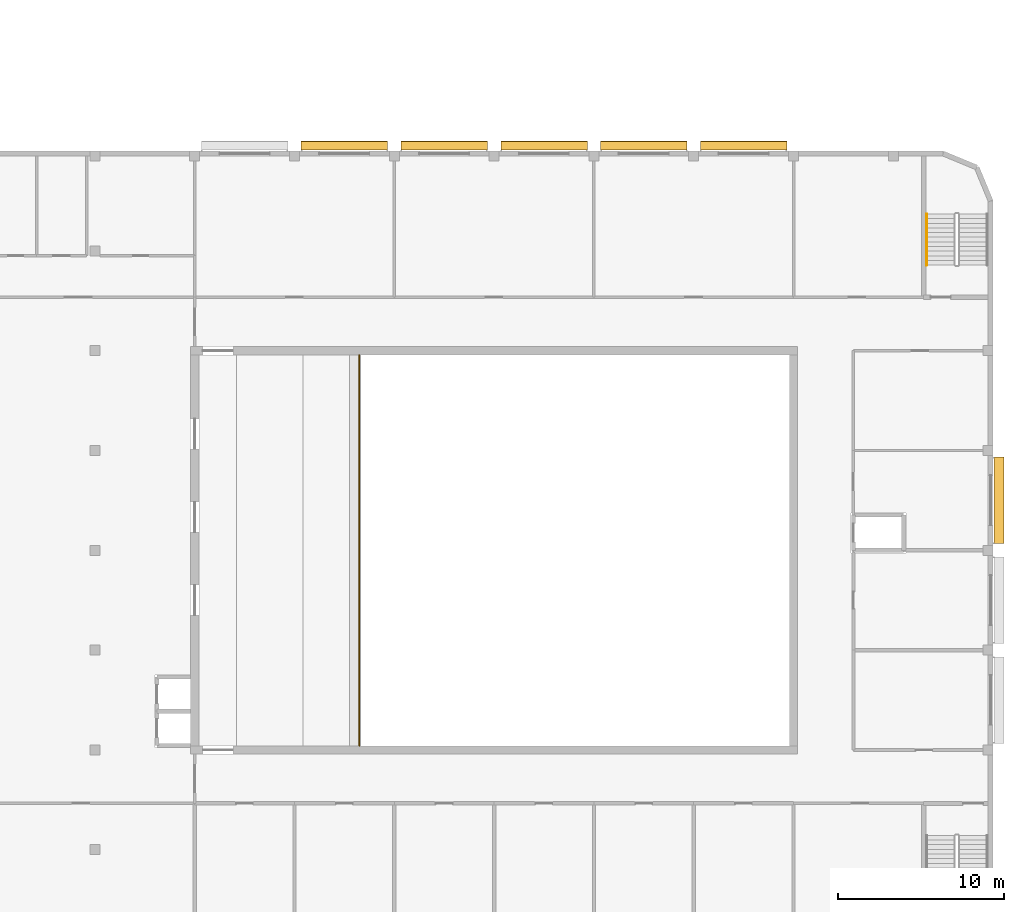
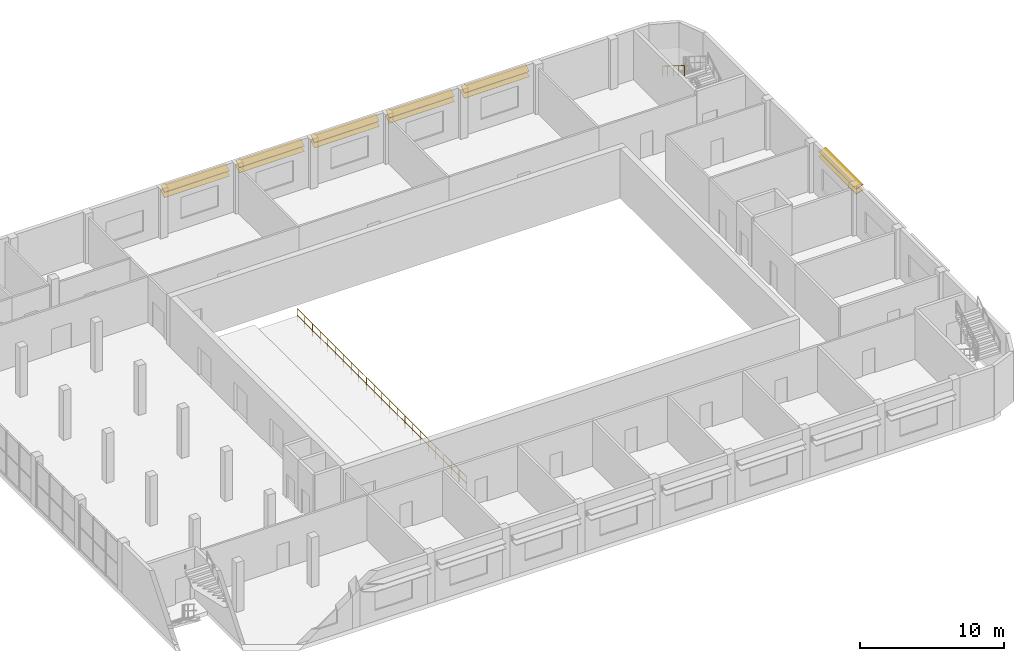
# One storey, part 44 of 45: 12 shading devices, 2 railings.
"""IFC4 building model written with IfcOpenShell, lengths in metres."""

from ifc_helpers import new_model, si_unit, direction, frame, origin, origin_2d, place, context, subcontext, project, spatial, rectangle, circle, extrude, material, material_profile, profile_set, type_object, element, save


model = new_model("IFC4")

# Units and contexts
model_context = context("Model", 3, precision=1e-05, world=origin(), true_north=direction((0.0, 1.0)))
body_context = subcontext(model_context, "Body", "Model", "MODEL_VIEW")
ifc_project = project(units=[si_unit("LENGTHUNIT", "METRE"), si_unit("AREAUNIT", "SQUARE_METRE"), si_unit("VOLUMEUNIT", "CUBIC_METRE"), si_unit("PLANEANGLEUNIT", "RADIAN"), si_unit("MASSUNIT", "GRAM", prefix="KILO")], contexts=[model_context])

# Site, building, storey
site_placement = place(None, origin())
site = spatial("IfcSite", under=ifc_project, at=site_placement, CompositionType="ELEMENT")
building_placement = place(site_placement, origin())
building = spatial("IfcBuilding", under=site, at=building_placement, Name="Nakaniwa Court", CompositionType="ELEMENT")
storey_placement = place(building_placement, frame((0.0, 0.0, 11.39990234375)))
storey = spatial("IfcBuildingStorey", under=building, at=storey_placement, Name="L02", CompositionType="ELEMENT", Elevation=11.39990234375)

# Railing
ifc_material_1 = material(Name="Black powder-coated steel flat bar balustrade S275", Category="steel")
railing_type_1 = type_object("IfcRailingType", Name="Hall guard 1100", PredefinedType="GUARDRAIL", material=ifc_material_1)
railing_1_placement = place(storey_placement, frame((179.89990234375, 68.25, -1.349853515625)))
element("IfcRailing", 1, at=railing_1_placement, inside=storey, type_object=railing_type_1, Name="Balcony tier L02 front guard", PredefinedType="GUARDRAIL", context=body_context, shape_type="SweptSolid", body=[
    extrude(circle(Radius=0.02392578125, at=origin_2d()), frame((0.0, 0.0, 1.076171875), z_axis=(0.0, 1.0, 0.0), x_axis=(-1.0, 0.0, 0.0)), (0.0, 0.0, 1.0), 23.5),
    extrude(circle(Radius=0.02392578125, at=origin_2d()), frame((0.0, 0.0, 0.550048828125), z_axis=(0.0, 1.0, 0.0), x_axis=(-1.0, 0.0, 0.0)), (0.0, 0.0, 1.0), 23.5),
    extrude(circle(Radius=0.02099609375, at=origin_2d()), origin(), (0.0, 0.0, 1.0), 1.052001953125),
    extrude(circle(Radius=0.02099609375, at=origin_2d()), frame((0.0, 1.068115234375, 0.0)), (0.0, 0.0, 1.0), 1.052001953125),
    extrude(circle(Radius=0.02099609375, at=origin_2d()), frame((0.0, 2.136474609375, 0.0)), (0.0, 0.0, 1.0), 1.052001953125),
    extrude(circle(Radius=0.02099609375, at=origin_2d()), frame((0.0, 3.20458984375, 0.0)), (0.0, 0.0, 1.0), 1.052001953125),
    extrude(circle(Radius=0.02099609375, at=origin_2d()), frame((0.0, 4.272705078125, 0.0)), (0.0, 0.0, 1.0), 1.052001953125),
    extrude(circle(Radius=0.02099609375, at=origin_2d()), frame((0.0, 5.3408203125, 0.0)), (0.0, 0.0, 1.0), 1.052001953125),
    extrude(circle(Radius=0.02099609375, at=origin_2d()), frame((0.0, 6.4091796875, 0.0)), (0.0, 0.0, 1.0), 1.052001953125),
    extrude(circle(Radius=0.02099609375, at=origin_2d()), frame((0.0, 7.477294921875, 0.0)), (0.0, 0.0, 1.0), 1.052001953125),
    extrude(circle(Radius=0.02099609375, at=origin_2d()), frame((0.0, 8.54541015625, 0.0)), (0.0, 0.0, 1.0), 1.052001953125),
    extrude(circle(Radius=0.02099609375, at=origin_2d()), frame((0.0, 9.613525390625, 0.0)), (0.0, 0.0, 1.0), 1.052001953125),
    extrude(circle(Radius=0.02099609375, at=origin_2d()), frame((0.0, 10.681884765625, 0.0)), (0.0, 0.0, 1.0), 1.052001953125),
    extrude(circle(Radius=0.02099609375, at=origin_2d()), frame((0.0, 11.75, 0.0)), (0.0, 0.0, 1.0), 1.052001953125),
    extrude(circle(Radius=0.02099609375, at=origin_2d()), frame((0.0, 12.818115234375, 0.0)), (0.0, 0.0, 1.0), 1.052001953125),
    extrude(circle(Radius=0.02099609375, at=origin_2d()), frame((0.0, 13.886474609375, 0.0)), (0.0, 0.0, 1.0), 1.052001953125),
    extrude(circle(Radius=0.02099609375, at=origin_2d()), frame((0.0, 14.95458984375, 0.0)), (0.0, 0.0, 1.0), 1.052001953125),
    extrude(circle(Radius=0.02099609375, at=origin_2d()), frame((0.0, 16.022705078125, 0.0)), (0.0, 0.0, 1.0), 1.052001953125),
    extrude(circle(Radius=0.02099609375, at=origin_2d()), frame((0.0, 17.0908203125, 0.0)), (0.0, 0.0, 1.0), 1.052001953125),
    extrude(circle(Radius=0.02099609375, at=origin_2d()), frame((0.0, 18.1591796875, 0.0)), (0.0, 0.0, 1.0), 1.052001953125),
    extrude(circle(Radius=0.02099609375, at=origin_2d()), frame((0.0, 19.227294921875, 0.0)), (0.0, 0.0, 1.0), 1.052001953125),
    extrude(circle(Radius=0.02099609375, at=origin_2d()), frame((0.0, 20.29541015625, 0.0)), (0.0, 0.0, 1.0), 1.052001953125),
    extrude(circle(Radius=0.02099609375, at=origin_2d()), frame((0.0, 21.363525390625, 0.0)), (0.0, 0.0, 1.0), 1.052001953125),
    extrude(circle(Radius=0.02099609375, at=origin_2d()), frame((0.0, 22.431884765625, 0.0)), (0.0, 0.0, 1.0), 1.052001953125),
    extrude(circle(Radius=0.02099609375, at=origin_2d()), frame((0.0, 23.5, 0.0)), (0.0, 0.0, 1.0), 1.052001953125),
])

# Shading devices
ifc_material_2 = material(Name="Perforated charcoal ceramic louvre blade")
ifc_material_profile = material_profile(ifc_material_2, rectangle(XDim=0.60009765625, YDim=0.050048828125, at=origin_2d()), Name="Hall perforated ceramic louvre blade")
ifc_profile_set = profile_set([ifc_material_profile], Name="Perforated charcoal ceramic louvre blade")
shading_device_type = type_object("IfcShadingDeviceType", Name="Hall perforated ceramic louvre blade", PredefinedType="JALOUSIE", material=ifc_profile_set)
for number, where, z_axis, x_axis, name in (
    (2, (176.39990234375, 104.332275390625, 3.0), (1.0, 0.0, 0.0), (0.0, 0.866025403784, 0.5), "Louvre blade L02 014.1"),
    (3, (176.39990234375, 104.332275390625, 3.4501953125), (1.0, 0.0, 0.0), (0.0, 0.866025403784, 0.5), "Louvre blade L02 014.2"),
    (4, (182.39990234375, 104.332275390625, 3.0), (1.0, 0.0, 0.0), (0.0, 0.866025403784, 0.5), "Louvre blade L02 015.1"),
    (5, (182.39990234375, 104.332275390625, 3.4501953125), (1.0, 0.0, 0.0), (0.0, 0.866025403784, 0.5), "Louvre blade L02 015.2"),
    (6, (188.39990234375, 104.332275390625, 3.0), (1.0, 0.0, 0.0), (0.0, 0.866025403784, 0.5), "Louvre blade L02 016.1"),
    (7, (188.39990234375, 104.332275390625, 3.4501953125), (1.0, 0.0, 0.0), (0.0, 0.866025403784, 0.5), "Louvre blade L02 016.2"),
    (8, (194.39990234375, 104.332275390625, 3.0), (1.0, 0.0, 0.0), (0.0, 0.866025403784, 0.5), "Louvre blade L02 017.1"),
    (9, (194.39990234375, 104.332275390625, 3.4501953125), (1.0, 0.0, 0.0), (0.0, 0.866025403784, 0.5), "Louvre blade L02 017.2"),
    (10, (200.39990234375, 104.332275390625, 3.0), (1.0, 0.0, 0.0), (0.0, 0.866025403784, 0.5), "Louvre blade L02 018.1"),
    (11, (200.39990234375, 104.332275390625, 3.4501953125), (1.0, 0.0, 0.0), (0.0, 0.866025403784, 0.5), "Louvre blade L02 018.2"),
    (12, (218.356201171875, 85.60009765625, 3.0), (0.0, -1.0, 0.0), (0.965925826289, 0.0, 0.258819045103), "Louvre blade L02 025.1"),
    (13, (218.356201171875, 85.60009765625, 3.4501953125), (0.0, -1.0, 0.0), (0.965925826289, 0.0, 0.258819045103), "Louvre blade L02 025.2"),
):
    element("IfcShadingDevice", number, at=place(storey_placement, frame(where, z_axis=z_axis, x_axis=x_axis)), inside=storey, type_object=shading_device_type, Name=name, PredefinedType="JALOUSIE", context=body_context, shape_type="SweptSolid", body=[
        extrude(rectangle(XDim=0.60009765625, YDim=0.050048828125, at=origin_2d()), origin(), (0.0, 0.0, 1.0), 5.2001953125),
    ])

# Railing
ifc_material_3 = material(Name="Brushed stainless steel handrail Grade 304", Category="steel")
railing_type_2 = type_object("IfcRailingType", Name="Hall stair handrail 900", PredefinedType="HANDRAIL", material=ifc_material_3)
railing_2_placement = place(storey_placement, frame((214.0, 100.219970703125, 2.275146484375)))
element("IfcRailing", 14, at=railing_2_placement, inside=storey, type_object=railing_type_2, Name="L02 ST-H4 stair handrail 2", PredefinedType="HANDRAIL", context=body_context, shape_type="SweptSolid", body=[
    extrude(circle(Radius=0.02392578125, at=origin_2d()), frame((0.0, 0.0, 0.8759765625), z_axis=(0.0, -0.847998304005, 0.529998940003), x_axis=(1.0, 0.0, 0.0)), (0.0, 0.0, 1.0), 3.632080078125),
    extrude(circle(Radius=0.02099609375, at=origin_2d()), origin(), (0.0, 0.0, 1.0), 0.851806640625),
    extrude(circle(Radius=0.02099609375, at=origin_2d()), frame((0.0, -0.77001953125, 0.481201171875)), (0.0, 0.0, 1.0), 0.851806640625),
    extrude(circle(Radius=0.02099609375, at=origin_2d()), frame((0.0, -1.5400390625, 0.96240234375)), (0.0, 0.0, 1.0), 0.851806640625),
    extrude(circle(Radius=0.02099609375, at=origin_2d()), frame((0.0, -2.31005859375, 1.44384765625)), (0.0, 0.0, 1.0), 0.851806640625),
    extrude(circle(Radius=0.02099609375, at=origin_2d()), frame((0.0, -3.080078125, 1.925048828125)), (0.0, 0.0, 1.0), 0.851806640625),
])

save(model, "model.ifc")
